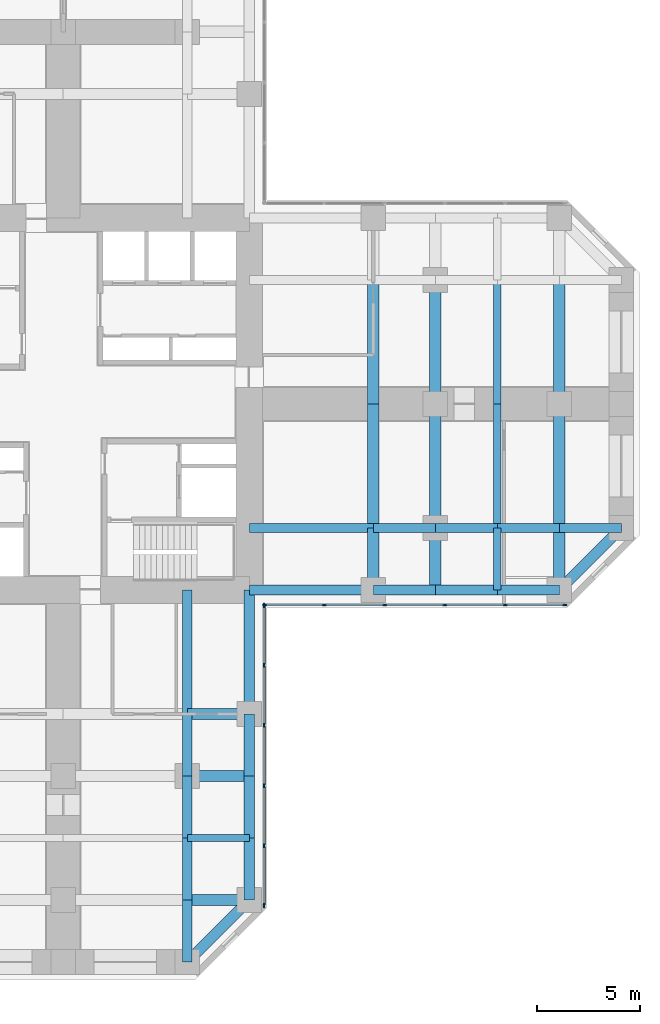
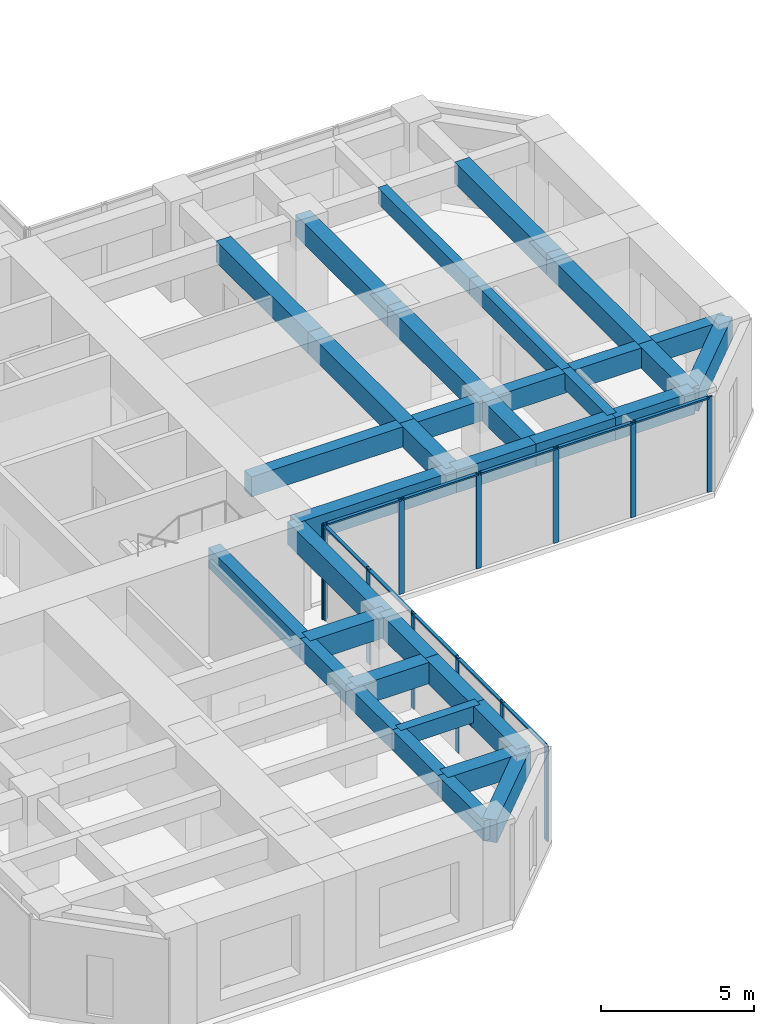
# One storey, part 4 of 12: 36 beams, 22 members, 2 elements without a shape of their own.
"""IFC4 building model written with IfcOpenShell, lengths in metres."""

from ifc_helpers import new_model, si_unit, direction, frame, origin, origin_2d, place, context, subcontext, project, spatial, rectangle, extrude, material, material_profile, profile_set, type_object, element, aggregate, save


model = new_model("IFC4")

# Units and contexts
model_context = context("Model", 3, precision=1e-05, world=origin(), true_north=direction((0.0, 1.0)))
body_context = subcontext(model_context, "Body", "Model", "MODEL_VIEW")
ifc_project = project(units=[si_unit("LENGTHUNIT", "METRE"), si_unit("AREAUNIT", "SQUARE_METRE"), si_unit("VOLUMEUNIT", "CUBIC_METRE"), si_unit("PLANEANGLEUNIT", "RADIAN"), si_unit("MASSUNIT", "GRAM", prefix="KILO")], contexts=[model_context])

# Site, building, storey
site_placement = place(None, origin())
site = spatial("IfcSite", under=ifc_project, at=site_placement, CompositionType="ELEMENT")
building_placement = place(site_placement, origin())
building = spatial("IfcBuilding", under=site, at=building_placement, Name="Torre Cruceta", CompositionType="ELEMENT")
storey_placement = place(building_placement, frame((0.0, 0.0, 39.5)))
storey = spatial("IfcBuildingStorey", under=building, at=storey_placement, Name="L09", CompositionType="ELEMENT", Elevation=39.5)

# Beams
ifc_material_1 = material(Name="Concrete G60 (fck 60 MPa)", Category="concrete")
ifc_material_profile_1 = material_profile(ifc_material_1, rectangle(XDim=0.449951171875, YDim=0.800048828125, at=origin_2d()), Name="RC 450X800")
ifc_profile_set_1 = profile_set([ifc_material_profile_1], Name="Concrete G60 (fck 60 MPa)")
beam_type_1 = type_object("IfcBeamType", Name="COLUMN LINE BEAM RC 450X800", PredefinedType="BEAM", material=ifc_profile_set_1)
beam_1_placement = place(storey_placement, frame((9.0, -6.0, 3.39990234375), z_axis=(1.0, 0.0, 0.0), x_axis=(0.0, 1.0, 0.0)))
element("IfcBeam", 1, at=beam_1_placement, inside=storey, type_object=beam_type_1, Name="LB1 L09 E col- 1", PredefinedType="BEAM", context=body_context, shape_type="SweptSolid", body=[
    extrude(rectangle(XDim=0.449951171875, YDim=0.800048828125, at=origin_2d()), origin(), (0.0, 0.0, 1.0), 6.0),
])
for number, where, z_axis, x_axis, name in (
    (2, (15.0, -6.0, 3.39990234375), (1.0, 0.0, 0.0), (0.0, 1.0, 0.0), "LB1 L09 E col- 2"),
    (3, (18.0, -6.0, 3.39990234375), (1.0, 0.0, 0.0), (0.0, 1.0, 0.0), "LB1 L09 E col- 3"),
    (4, (21.0, -6.0, 3.39990234375), (1.0, 0.0, 0.0), (0.0, 1.0, 0.0), "LB1 L09 E col- 4"),
    (5, (24.0, -6.0, 3.39990234375), (1.0, 0.0, 0.0), (0.0, 1.0, 0.0), "LB1 L09 E col- 5"),
):
    element("IfcBeam", number, at=place(storey_placement, frame(where, z_axis=z_axis, x_axis=x_axis)), inside=storey, type_object=beam_type_1, Name=name, PredefinedType="BEAM", context=body_context, shape_type="SweptSolid", body=[
        extrude(rectangle(XDim=0.449951171875, YDim=0.800048828125, at=origin_2d()), origin(), (0.0, 0.0, 1.0), 3.0),
    ])
beam_2_placement = place(storey_placement, frame((6.0, -9.0, 3.39990234375), z_axis=(0.0, -1.0, 0.0), x_axis=(1.0, 0.0, 0.0)))
element("IfcBeam", 6, at=beam_2_placement, inside=storey, type_object=beam_type_1, Name="LB1 L09 S col+ 1", PredefinedType="BEAM", context=body_context, shape_type="SweptSolid", body=[
    extrude(rectangle(XDim=0.449951171875, YDim=0.800048828125, at=origin_2d()), origin(), (0.0, 0.0, 1.0), 6.0),
])
for number, where, z_axis, x_axis, name in (
    (7, (6.0, -15.0, 3.39990234375), (0.0, -1.0, 0.0), (1.0, 0.0, 0.0), "LB1 L09 S col+ 2"),
    (8, (6.0, -18.0, 3.39990234375), (0.0, -1.0, 0.0), (1.0, 0.0, 0.0), "LB1 L09 S col+ 3"),
    (9, (6.0, -21.0, 3.39990234375), (0.0, -1.0, 0.0), (1.0, 0.0, 0.0), "LB1 L09 S col+ 4"),
    (10, (6.0, -24.0, 3.39990234375), (0.0, -1.0, 0.0), (1.0, 0.0, 0.0), "LB1 L09 S col+ 5"),
):
    element("IfcBeam", number, at=place(storey_placement, frame(where, z_axis=z_axis, x_axis=x_axis)), inside=storey, type_object=beam_type_1, Name=name, PredefinedType="BEAM", context=body_context, shape_type="SweptSolid", body=[
        extrude(rectangle(XDim=0.449951171875, YDim=0.800048828125, at=origin_2d()), origin(), (0.0, 0.0, 1.0), 3.0),
    ])
ifc_material_2 = material(Name="Concrete G60 (fck 60 MPa)", Category="concrete")
ifc_material_profile_2 = material_profile(ifc_material_2, rectangle(XDim=0.550048828125, YDim=0.85009765625, at=origin_2d()), Name="RC 550X850")
ifc_profile_set_2 = profile_set([ifc_material_profile_2], Name="Concrete G60 (fck 60 MPa)")
beam_type_2 = type_object("IfcBeamType", Name="CROSS BEAM RC 550X850", PredefinedType="BEAM", material=ifc_profile_set_2)
beam_3_placement = place(storey_placement, frame((15.0, -9.0, 3.375), z_axis=(0.0, 1.0, 0.0), x_axis=(-1.0, 0.0, 0.0)))
element("IfcBeam", 11, at=beam_3_placement, inside=storey, type_object=beam_type_2, Name="GB4 L09 E cross15 1", PredefinedType="BEAM", context=body_context, shape_type="SweptSolid", body=[
    extrude(rectangle(XDim=0.550048828125, YDim=0.85009765625, at=origin_2d()), origin(), (0.0, 0.0, 1.0), 3.0),
])
for number, where, z_axis, x_axis, name in (
    (12, (15.0, -6.0, 3.375), (0.0, 1.0, 0.0), (-1.0, 0.0, 0.0), "GB4 L09 E cross15 2"),
    (13, (15.0, 0.0, 3.375), (0.0, 1.0, 0.0), (-1.0, 0.0, 0.0), "GB4 L09 E cross15 3"),
):
    element("IfcBeam", number, at=place(storey_placement, frame(where, z_axis=z_axis, x_axis=x_axis)), inside=storey, type_object=beam_type_2, Name=name, PredefinedType="BEAM", context=body_context, shape_type="SweptSolid", body=[
        extrude(rectangle(XDim=0.550048828125, YDim=0.85009765625, at=origin_2d()), origin(), (0.0, 0.0, 1.0), 6.0),
    ])
beam_4_placement = place(storey_placement, frame((18.0, -9.0, 3.375), z_axis=(0.0, 1.0, 0.0), x_axis=(-1.0, 0.0, 0.0)))
element("IfcBeam", 14, at=beam_4_placement, inside=storey, type_object=beam_type_2, Name="GB4 L09 E cross18 1", PredefinedType="BEAM", context=body_context, shape_type="SweptSolid", body=[
    extrude(rectangle(XDim=0.550048828125, YDim=0.85009765625, at=origin_2d()), origin(), (0.0, 0.0, 1.0), 3.0),
])
for number, where, z_axis, x_axis, name in (
    (15, (18.0, -6.0, 3.375), (0.0, 1.0, 0.0), (-1.0, 0.0, 0.0), "GB4 L09 E cross18 2"),
    (16, (18.0, 0.0, 3.375), (0.0, 1.0, 0.0), (-1.0, 0.0, 0.0), "GB4 L09 E cross18 3"),
):
    element("IfcBeam", number, at=place(storey_placement, frame(where, z_axis=z_axis, x_axis=x_axis)), inside=storey, type_object=beam_type_2, Name=name, PredefinedType="BEAM", context=body_context, shape_type="SweptSolid", body=[
        extrude(rectangle(XDim=0.550048828125, YDim=0.85009765625, at=origin_2d()), origin(), (0.0, 0.0, 1.0), 6.0),
    ])
beam_5_placement = place(storey_placement, frame((24.0, -9.0, 3.375), z_axis=(0.0, 1.0, 0.0), x_axis=(-1.0, 0.0, 0.0)))
element("IfcBeam", 17, at=beam_5_placement, inside=storey, type_object=beam_type_2, Name="GB4 L09 E cross24 1", PredefinedType="BEAM", context=body_context, shape_type="SweptSolid", body=[
    extrude(rectangle(XDim=0.550048828125, YDim=0.85009765625, at=origin_2d()), origin(), (0.0, 0.0, 1.0), 3.0),
])
for number, where, z_axis, x_axis, name in (
    (18, (24.0, -6.0, 3.375), (0.0, 1.0, 0.0), (-1.0, 0.0, 0.0), "GB4 L09 E cross24 2"),
    (19, (24.0, 0.0, 3.375), (0.0, 1.0, 0.0), (-1.0, 0.0, 0.0), "GB4 L09 E cross24 3"),
):
    element("IfcBeam", number, at=place(storey_placement, frame(where, z_axis=z_axis, x_axis=x_axis)), inside=storey, type_object=beam_type_2, Name=name, PredefinedType="BEAM", context=body_context, shape_type="SweptSolid", body=[
        extrude(rectangle(XDim=0.550048828125, YDim=0.85009765625, at=origin_2d()), origin(), (0.0, 0.0, 1.0), 6.0),
    ])
for number, where, z_axis, x_axis, name in (
    (20, (6.0, -15.0, 3.375), (1.0, 0.0, 0.0), (0.0, 1.0, 0.0), "GB4 L09 S cross15 4"),
    (21, (6.0, -18.0, 3.375), (1.0, 0.0, 0.0), (0.0, 1.0, 0.0), "GB4 L09 S cross18 4"),
    (22, (6.0, -24.0, 3.375), (1.0, 0.0, 0.0), (0.0, 1.0, 0.0), "GB4 L09 S cross24 4"),
):
    element("IfcBeam", number, at=place(storey_placement, frame(where, z_axis=z_axis, x_axis=x_axis)), inside=storey, type_object=beam_type_2, Name=name, PredefinedType="BEAM", context=body_context, shape_type="SweptSolid", body=[
        extrude(rectangle(XDim=0.550048828125, YDim=0.85009765625, at=origin_2d()), origin(), (0.0, 0.0, 1.0), 3.0),
    ])

# Curtain wall, members
ifc_material_3 = material(Name="Aluminium unitised curtain wall", Category="aluminium")
curtain_wall_type = type_object("IfcCurtainWallType", Name="CURTAIN WALL CW-A OFFICE LOW RISE", PredefinedType="USERDEFINED", material=ifc_material_3)
curtain_wall_1_placement = place(storey_placement, origin())
curtain_wall_1 = element("IfcCurtainWall", 23, at=curtain_wall_1_placement, inside=storey, type_object=curtain_wall_type, Name="CW-A L09 E side 00", ObjectType="UNITISED", PredefinedType="USERDEFINED")
ifc_material_4 = material(Name="Aluminium mullion", Category="aluminium")
ifc_material_profile_3 = material_profile(ifc_material_4, rectangle(XDim=0.06494140625, YDim=0.199951171875, at=origin_2d()), Name="AL 65X200")
ifc_profile_set_3 = profile_set([ifc_material_profile_3], Name="Aluminium mullion")
member_type_1 = type_object("IfcMemberType", Name="CW-A MULLION 65X200", PredefinedType="MULLION", material=ifc_profile_set_3)
member_1_placement = place(storey_placement, frame((9.75244140625, -9.719970703125, 0.0), z_axis=(0.0, 0.0, 1.0), x_axis=(0.0, 1.0, 0.0)))
member_1 = element("IfcMember", 24, at=member_1_placement, type_object=member_type_1, Name="CW-A mullion 1", PredefinedType="MULLION", context=body_context, shape_type="SweptSolid", body=[
    extrude(rectangle(XDim=0.06494140625, YDim=0.199951171875, at=origin_2d()), origin(), (0.0, 0.0, 1.0), 3.800048828125),
])
member_2_placement = place(storey_placement, frame((12.6357421875, -9.719970703125, 0.0), z_axis=(0.0, 0.0, 1.0), x_axis=(0.0, 1.0, 0.0)))
member_2 = element("IfcMember", 25, at=member_2_placement, type_object=member_type_1, Name="CW-A mullion 2", PredefinedType="MULLION", context=body_context, shape_type="SweptSolid", body=[
    extrude(rectangle(XDim=0.06494140625, YDim=0.199951171875, at=origin_2d()), origin(), (0.0, 0.0, 1.0), 3.800048828125),
])
member_3_placement = place(storey_placement, frame((15.55126953125, -9.719970703125, 0.0), z_axis=(0.0, 0.0, 1.0), x_axis=(0.0, 1.0, 0.0)))
member_3 = element("IfcMember", 26, at=member_3_placement, type_object=member_type_1, Name="CW-A mullion 3", PredefinedType="MULLION", context=body_context, shape_type="SweptSolid", body=[
    extrude(rectangle(XDim=0.06494140625, YDim=0.199951171875, at=origin_2d()), origin(), (0.0, 0.0, 1.0), 3.800048828125),
])
member_4_placement = place(storey_placement, frame((18.467041015625, -9.719970703125, 0.0), z_axis=(0.0, 0.0, 1.0), x_axis=(0.0, 1.0, 0.0)))
member_4 = element("IfcMember", 27, at=member_4_placement, type_object=member_type_1, Name="CW-A mullion 4", PredefinedType="MULLION", context=body_context, shape_type="SweptSolid", body=[
    extrude(rectangle(XDim=0.06494140625, YDim=0.199951171875, at=origin_2d()), origin(), (0.0, 0.0, 1.0), 3.800048828125),
])
member_5_placement = place(storey_placement, frame((21.382568359375, -9.719970703125, 0.0), z_axis=(0.0, 0.0, 1.0), x_axis=(0.0, 1.0, 0.0)))
member_5 = element("IfcMember", 28, at=member_5_placement, type_object=member_type_1, Name="CW-A mullion 5", PredefinedType="MULLION", context=body_context, shape_type="SweptSolid", body=[
    extrude(rectangle(XDim=0.06494140625, YDim=0.199951171875, at=origin_2d()), origin(), (0.0, 0.0, 1.0), 3.800048828125),
])
member_6_placement = place(storey_placement, frame((24.265625, -9.719970703125, 0.0), z_axis=(0.0, 0.0, 1.0), x_axis=(0.0, 1.0, 0.0)))
member_6 = element("IfcMember", 29, at=member_6_placement, type_object=member_type_1, Name="CW-A mullion 6", PredefinedType="MULLION", context=body_context, shape_type="SweptSolid", body=[
    extrude(rectangle(XDim=0.06494140625, YDim=0.199951171875, at=origin_2d()), origin(), (0.0, 0.0, 1.0), 3.800048828125),
])

curtain_wall_2_placement = place(storey_placement, origin())
curtain_wall_2 = element("IfcCurtainWall", 30, at=curtain_wall_2_placement, inside=storey, type_object=curtain_wall_type, Name="CW-A L09 S side 19", ObjectType="UNITISED", PredefinedType="USERDEFINED")
member_7_placement = place(storey_placement, frame((9.719970703125, -24.265625, 0.0), z_axis=(0.0, 0.0, 1.0), x_axis=(-1.0, 0.0, 0.0)))
member_7 = element("IfcMember", 31, at=member_7_placement, type_object=member_type_1, Name="CW-A mullion 1", PredefinedType="MULLION", context=body_context, shape_type="SweptSolid", body=[
    extrude(rectangle(XDim=0.06494140625, YDim=0.199951171875, at=origin_2d()), origin(), (0.0, 0.0, 1.0), 3.800048828125),
])
member_8_placement = place(storey_placement, frame((9.719970703125, -21.382568359375, 0.0), z_axis=(0.0, 0.0, 1.0), x_axis=(-1.0, 0.0, 0.0)))
member_8 = element("IfcMember", 32, at=member_8_placement, type_object=member_type_1, Name="CW-A mullion 2", PredefinedType="MULLION", context=body_context, shape_type="SweptSolid", body=[
    extrude(rectangle(XDim=0.06494140625, YDim=0.199951171875, at=origin_2d()), origin(), (0.0, 0.0, 1.0), 3.800048828125),
])
member_9_placement = place(storey_placement, frame((9.719970703125, -18.467041015625, 0.0), z_axis=(0.0, 0.0, 1.0), x_axis=(-1.0, 0.0, 0.0)))
member_9 = element("IfcMember", 33, at=member_9_placement, type_object=member_type_1, Name="CW-A mullion 3", PredefinedType="MULLION", context=body_context, shape_type="SweptSolid", body=[
    extrude(rectangle(XDim=0.06494140625, YDim=0.199951171875, at=origin_2d()), origin(), (0.0, 0.0, 1.0), 3.800048828125),
])
member_10_placement = place(storey_placement, frame((9.719970703125, -15.55126953125, 0.0), z_axis=(0.0, 0.0, 1.0), x_axis=(-1.0, 0.0, 0.0)))
member_10 = element("IfcMember", 34, at=member_10_placement, type_object=member_type_1, Name="CW-A mullion 4", PredefinedType="MULLION", context=body_context, shape_type="SweptSolid", body=[
    extrude(rectangle(XDim=0.06494140625, YDim=0.199951171875, at=origin_2d()), origin(), (0.0, 0.0, 1.0), 3.800048828125),
])
member_11_placement = place(storey_placement, frame((9.719970703125, -12.6357421875, 0.0), z_axis=(0.0, 0.0, 1.0), x_axis=(-1.0, 0.0, 0.0)))
member_11 = element("IfcMember", 35, at=member_11_placement, type_object=member_type_1, Name="CW-A mullion 5", PredefinedType="MULLION", context=body_context, shape_type="SweptSolid", body=[
    extrude(rectangle(XDim=0.06494140625, YDim=0.199951171875, at=origin_2d()), origin(), (0.0, 0.0, 1.0), 3.800048828125),
])
member_12_placement = place(storey_placement, frame((9.719970703125, -9.75244140625, 0.0), z_axis=(0.0, 0.0, 1.0), x_axis=(-1.0, 0.0, 0.0)))
member_12 = element("IfcMember", 36, at=member_12_placement, type_object=member_type_1, Name="CW-A mullion 6", PredefinedType="MULLION", context=body_context, shape_type="SweptSolid", body=[
    extrude(rectangle(XDim=0.06494140625, YDim=0.199951171875, at=origin_2d()), origin(), (0.0, 0.0, 1.0), 3.800048828125),
])

# Member
ifc_material_5 = material(Name="Aluminium transom", Category="aluminium")
ifc_material_profile_4 = material_profile(ifc_material_5, rectangle(XDim=0.1201171875, YDim=0.06494140625, at=origin_2d()), Name="AL 120X65")
ifc_profile_set_4 = profile_set([ifc_material_profile_4], Name="Aluminium transom")
member_type_2 = type_object("IfcMemberType", Name="CW-A TRANSOM 65X120", PredefinedType="USERDEFINED", material=ifc_profile_set_4)
member_13_placement = place(storey_placement, frame((9.784912109375, -9.719970703125, 3.767578125), z_axis=(1.0, 0.0, 0.0), x_axis=(0.0, 1.0, 0.0)))
member_13 = element("IfcMember", 37, at=member_13_placement, type_object=member_type_2, Name="CW-A transom 1", ObjectType="TRANSOM", PredefinedType="USERDEFINED", context=body_context, shape_type="SweptSolid", body=[
    extrude(rectangle(XDim=0.1201171875, YDim=0.06494140625, at=origin_2d()), origin(), (0.0, 0.0, 1.0), 2.818115234375),
])

member_14_placement = place(storey_placement, frame((12.668212890625, -9.719970703125, 3.767578125), z_axis=(1.0, 0.0, 0.0), x_axis=(0.0, 1.0, 0.0)))
member_14 = element("IfcMember", 38, at=member_14_placement, type_object=member_type_2, Name="CW-A transom 2", ObjectType="TRANSOM", PredefinedType="USERDEFINED", context=body_context, shape_type="SweptSolid", body=[
    extrude(rectangle(XDim=0.1201171875, YDim=0.06494140625, at=origin_2d()), origin(), (0.0, 0.0, 1.0), 2.8505859375),
])

member_15_placement = place(storey_placement, frame((15.583740234375, -9.719970703125, 3.767578125), z_axis=(1.0, 0.0, 0.0), x_axis=(0.0, 1.0, 0.0)))
member_15 = element("IfcMember", 39, at=member_15_placement, type_object=member_type_2, Name="CW-A transom 3", ObjectType="TRANSOM", PredefinedType="USERDEFINED", context=body_context, shape_type="SweptSolid", body=[
    extrude(rectangle(XDim=0.1201171875, YDim=0.06494140625, at=origin_2d()), origin(), (0.0, 0.0, 1.0), 2.8505859375),
])

member_16_placement = place(storey_placement, frame((18.49951171875, -9.719970703125, 3.767578125), z_axis=(1.0, 0.0, 0.0), x_axis=(0.0, 1.0, 0.0)))
member_16 = element("IfcMember", 40, at=member_16_placement, type_object=member_type_2, Name="CW-A transom 4", ObjectType="TRANSOM", PredefinedType="USERDEFINED", context=body_context, shape_type="SweptSolid", body=[
    extrude(rectangle(XDim=0.1201171875, YDim=0.06494140625, at=origin_2d()), origin(), (0.0, 0.0, 1.0), 2.8505859375),
])

member_17_placement = place(storey_placement, frame((21.4150390625, -9.719970703125, 3.767578125), z_axis=(1.0, 0.0, 0.0), x_axis=(0.0, 1.0, 0.0)))
member_17 = element("IfcMember", 41, at=member_17_placement, type_object=member_type_2, Name="CW-A transom 5", ObjectType="TRANSOM", PredefinedType="USERDEFINED", context=body_context, shape_type="SweptSolid", body=[
    extrude(rectangle(XDim=0.1201171875, YDim=0.06494140625, at=origin_2d()), origin(), (0.0, 0.0, 1.0), 2.818115234375),
])

aggregate(curtain_wall_1, [member_1, member_2, member_3, member_4, member_5, member_6, member_13, member_14, member_15, member_16, member_17])

member_18_placement = place(storey_placement, frame((9.719970703125, -24.233154296875, 3.767578125), z_axis=(0.0, 1.0, 0.0), x_axis=(-1.0, 0.0, 0.0)))
member_18 = element("IfcMember", 42, at=member_18_placement, type_object=member_type_2, Name="CW-A transom 1", ObjectType="TRANSOM", PredefinedType="USERDEFINED", context=body_context, shape_type="SweptSolid", body=[
    extrude(rectangle(XDim=0.1201171875, YDim=0.06494140625, at=origin_2d()), origin(), (0.0, 0.0, 1.0), 2.818115234375),
])

member_19_placement = place(storey_placement, frame((9.719970703125, -21.35009765625, 3.767578125), z_axis=(0.0, 1.0, 0.0), x_axis=(-1.0, 0.0, 0.0)))
member_19 = element("IfcMember", 43, at=member_19_placement, type_object=member_type_2, Name="CW-A transom 2", ObjectType="TRANSOM", PredefinedType="USERDEFINED", context=body_context, shape_type="SweptSolid", body=[
    extrude(rectangle(XDim=0.1201171875, YDim=0.06494140625, at=origin_2d()), origin(), (0.0, 0.0, 1.0), 2.8505859375),
])

member_20_placement = place(storey_placement, frame((9.719970703125, -18.434326171875, 3.767578125), z_axis=(0.0, 1.0, 0.0), x_axis=(-1.0, 0.0, 0.0)))
member_20 = element("IfcMember", 44, at=member_20_placement, type_object=member_type_2, Name="CW-A transom 3", ObjectType="TRANSOM", PredefinedType="USERDEFINED", context=body_context, shape_type="SweptSolid", body=[
    extrude(rectangle(XDim=0.1201171875, YDim=0.06494140625, at=origin_2d()), origin(), (0.0, 0.0, 1.0), 2.8505859375),
])

member_21_placement = place(storey_placement, frame((9.719970703125, -15.518798828125, 3.767578125), z_axis=(0.0, 1.0, 0.0), x_axis=(-1.0, 0.0, 0.0)))
member_21 = element("IfcMember", 45, at=member_21_placement, type_object=member_type_2, Name="CW-A transom 4", ObjectType="TRANSOM", PredefinedType="USERDEFINED", context=body_context, shape_type="SweptSolid", body=[
    extrude(rectangle(XDim=0.1201171875, YDim=0.06494140625, at=origin_2d()), origin(), (0.0, 0.0, 1.0), 2.8505859375),
])

member_22_placement = place(storey_placement, frame((9.719970703125, -12.60302734375, 3.767578125), z_axis=(0.0, 1.0, 0.0), x_axis=(-1.0, 0.0, 0.0)))
member_22 = element("IfcMember", 46, at=member_22_placement, type_object=member_type_2, Name="CW-A transom 5", ObjectType="TRANSOM", PredefinedType="USERDEFINED", context=body_context, shape_type="SweptSolid", body=[
    extrude(rectangle(XDim=0.1201171875, YDim=0.06494140625, at=origin_2d()), origin(), (0.0, 0.0, 1.0), 2.818115234375),
])

aggregate(curtain_wall_2, [member_7, member_8, member_9, member_10, member_11, member_12, member_18, member_19, member_20, member_21, member_22])

# Beams
ifc_material_6 = material(Name="Concrete G60 (fck 60 MPa)", Category="concrete")
ifc_material_profile_5 = material_profile(ifc_material_6, rectangle(XDim=0.35009765625, YDim=0.64990234375, at=origin_2d()), Name="RC 350X650")
ifc_profile_set_5 = profile_set([ifc_material_profile_5], Name="Concrete G60 (fck 60 MPa)")
beam_type_3 = type_object("IfcBeamType", Name="SECONDARY BEAM RC 350X650", PredefinedType="JOIST", material=ifc_profile_set_5)
beam_6_placement = place(storey_placement, frame((21.0, -9.0, 3.47509765625), z_axis=(0.0, 1.0, 0.0), x_axis=(-1.0, 0.0, 0.0)))
element("IfcBeam", 47, at=beam_6_placement, inside=storey, type_object=beam_type_3, Name="JB3 L09 E sec21 1", PredefinedType="JOIST", context=body_context, shape_type="SweptSolid", body=[
    extrude(rectangle(XDim=0.35009765625, YDim=0.64990234375, at=origin_2d()), origin(), (0.0, 0.0, 1.0), 3.0),
])
for number, where, z_axis, x_axis, name in (
    (48, (21.0, -6.0, 3.47509765625), (0.0, 1.0, 0.0), (-1.0, 0.0, 0.0), "JB3 L09 E sec21 2"),
    (49, (21.0, 0.0, 3.47509765625), (0.0, 1.0, 0.0), (-1.0, 0.0, 0.0), "JB3 L09 E sec21 3"),
):
    element("IfcBeam", number, at=place(storey_placement, frame(where, z_axis=z_axis, x_axis=x_axis)), inside=storey, type_object=beam_type_3, Name=name, PredefinedType="JOIST", context=body_context, shape_type="SweptSolid", body=[
        extrude(rectangle(XDim=0.35009765625, YDim=0.64990234375, at=origin_2d()), origin(), (0.0, 0.0, 1.0), 6.0),
    ])
beam_7_placement = place(storey_placement, frame((6.0, -21.0, 3.47509765625), z_axis=(1.0, 0.0, 0.0), x_axis=(0.0, 1.0, 0.0)))
element("IfcBeam", 50, at=beam_7_placement, inside=storey, type_object=beam_type_3, Name="JB3 L09 S sec21 4", PredefinedType="JOIST", context=body_context, shape_type="SweptSolid", body=[
    extrude(rectangle(XDim=0.35009765625, YDim=0.64990234375, at=origin_2d()), origin(), (0.0, 0.0, 1.0), 3.0),
])
ifc_material_7 = material(Name="Concrete G60 (fck 60 MPa)", Category="concrete")
ifc_material_profile_6 = material_profile(ifc_material_7, rectangle(XDim=0.5, YDim=0.89990234375, at=origin_2d()), Name="RC 500X900")
ifc_profile_set_6 = profile_set([ifc_material_profile_6], Name="Concrete G60 (fck 60 MPa)")
beam_type_4 = type_object("IfcBeamType", Name="SPANDREL BEAM RC 500X900", PredefinedType="SPANDREL", material=ifc_profile_set_6)
beam_8_placement = place(storey_placement, frame((9.0, -9.0, 3.35009765625), z_axis=(1.0, 0.0, 0.0), x_axis=(0.0, 1.0, 0.0)))
element("IfcBeam", 51, at=beam_8_placement, inside=storey, type_object=beam_type_4, Name="SB4 L09 E side- 1", PredefinedType="SPANDREL", context=body_context, shape_type="SweptSolid", body=[
    extrude(rectangle(XDim=0.5, YDim=0.89990234375, at=origin_2d()), origin(), (0.0, 0.0, 1.0), 6.0),
])
for number, where, z_axis, x_axis, name in (
    (52, (15.0, -9.0, 3.35009765625), (1.0, 0.0, 0.0), (0.0, 1.0, 0.0), "SB4 L09 E side- 2"),
    (53, (18.0, -9.0, 3.35009765625), (1.0, 0.0, 0.0), (0.0, 1.0, 0.0), "SB4 L09 E side- 3"),
    (54, (21.0, -9.0, 3.35009765625), (1.0, 0.0, 0.0), (0.0, 1.0, 0.0), "SB4 L09 E side- 4"),
):
    element("IfcBeam", number, at=place(storey_placement, frame(where, z_axis=z_axis, x_axis=x_axis)), inside=storey, type_object=beam_type_4, Name=name, PredefinedType="SPANDREL", context=body_context, shape_type="SweptSolid", body=[
        extrude(rectangle(XDim=0.5, YDim=0.89990234375, at=origin_2d()), origin(), (0.0, 0.0, 1.0), 3.0),
    ])
beam_9_placement = place(storey_placement, frame((24.0, -9.0, 3.35009765625), z_axis=(0.707106781187, 0.707106781187, 0.0), x_axis=(-0.707106781187, 0.707106781187, 0.0)))
element("IfcBeam", 55, at=beam_9_placement, inside=storey, type_object=beam_type_4, Name="SB4 L09 E side- 5", PredefinedType="SPANDREL", context=body_context, shape_type="SweptSolid", body=[
    extrude(rectangle(XDim=0.5, YDim=0.89990234375, at=origin_2d()), origin(), (0.0, 0.0, 1.0), 4.24267578125),
])
beam_10_placement = place(storey_placement, frame((9.0, -9.0, 3.35009765625), z_axis=(0.0, -1.0, 0.0), x_axis=(1.0, 0.0, 0.0)))
element("IfcBeam", 56, at=beam_10_placement, inside=storey, type_object=beam_type_4, Name="SB4 L09 S side+ 1", PredefinedType="SPANDREL", context=body_context, shape_type="SweptSolid", body=[
    extrude(rectangle(XDim=0.5, YDim=0.89990234375, at=origin_2d()), origin(), (0.0, 0.0, 1.0), 6.0),
])
for number, where, z_axis, x_axis, name in (
    (57, (9.0, -15.0, 3.35009765625), (0.0, -1.0, 0.0), (1.0, 0.0, 0.0), "SB4 L09 S side+ 2"),
    (58, (9.0, -18.0, 3.35009765625), (0.0, -1.0, 0.0), (1.0, 0.0, 0.0), "SB4 L09 S side+ 3"),
    (59, (9.0, -21.0, 3.35009765625), (0.0, -1.0, 0.0), (1.0, 0.0, 0.0), "SB4 L09 S side+ 4"),
):
    element("IfcBeam", number, at=place(storey_placement, frame(where, z_axis=z_axis, x_axis=x_axis)), inside=storey, type_object=beam_type_4, Name=name, PredefinedType="SPANDREL", context=body_context, shape_type="SweptSolid", body=[
        extrude(rectangle(XDim=0.5, YDim=0.89990234375, at=origin_2d()), origin(), (0.0, 0.0, 1.0), 3.0),
    ])
beam_11_placement = place(storey_placement, frame((9.0, -24.0, 3.35009765625), z_axis=(-0.707106781187, -0.707106781187, 0.0), x_axis=(0.707106781187, -0.707106781187, 0.0)))
element("IfcBeam", 60, at=beam_11_placement, inside=storey, type_object=beam_type_4, Name="SB4 L09 S side+ 5", PredefinedType="SPANDREL", context=body_context, shape_type="SweptSolid", body=[
    extrude(rectangle(XDim=0.5, YDim=0.89990234375, at=origin_2d()), origin(), (0.0, 0.0, 1.0), 4.24267578125),
])

save(model, "model.ifc")
